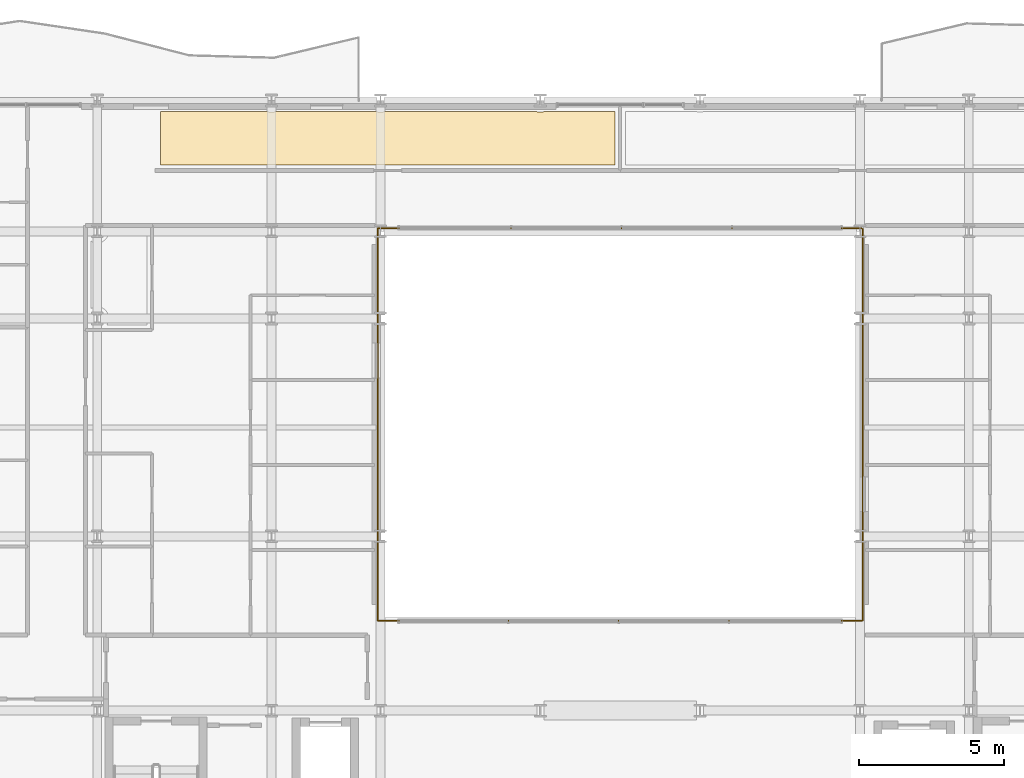
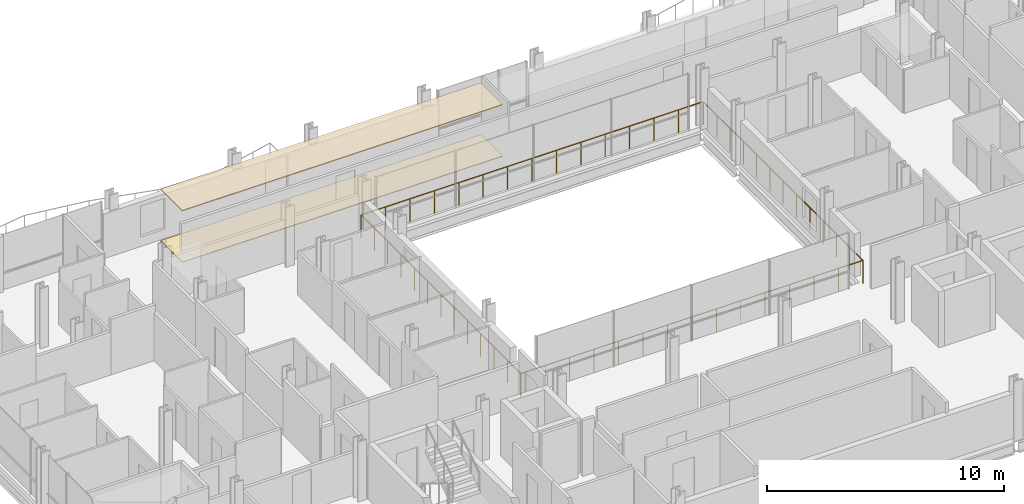
# One storey, part 39 of 41: 2 coverings, 2 railings.
"""IFC4 building model written with IfcOpenShell, lengths in metres."""

from ifc_helpers import new_model, si_unit, direction, frame, origin, origin_2d, place, context, subcontext, project, spatial, polyline, circle, outline, extrude, material, layer, layer_set, type_object, element, save


model = new_model("IFC4")

# Units and contexts
model_context = context("Model", 3, precision=1e-05, world=origin(), true_north=direction((0.0, 1.0)))
body_context = subcontext(model_context, "Body", "Model", "MODEL_VIEW")
ifc_project = project(units=[si_unit("LENGTHUNIT", "METRE"), si_unit("AREAUNIT", "SQUARE_METRE"), si_unit("VOLUMEUNIT", "CUBIC_METRE"), si_unit("PLANEANGLEUNIT", "RADIAN"), si_unit("MASSUNIT", "GRAM", prefix="KILO")], contexts=[model_context])

# Site, building, storey
site_placement = place(None, origin())
site = spatial("IfcSite", under=ifc_project, at=site_placement, CompositionType="ELEMENT")
building_placement = place(site_placement, origin())
building = spatial("IfcBuilding", under=site, at=building_placement, Name="Brevholm Reach", CompositionType="ELEMENT")
storey_placement = place(building_placement, frame((0.0, 0.0, 68.300048828125)))
storey = spatial("IfcBuildingStorey", under=building, at=storey_placement, Name="L19", CompositionType="ELEMENT", Elevation=68.300048828125)

# Coverings
ifc_material_1 = material(Name="Perforated Mineral-Fibre Class-A Acoustic Suspended Ceiling", Category="gypsum")
ifc_layer_1 = layer(ifc_material_1, 0.044921875)
ifc_layer_set_1 = layer_set([ifc_layer_1], Name="Perforated Mineral-Fibre Class-A Acoustic Suspended Ceiling")
covering_type_1 = type_object("IfcCoveringType", Name="COV-CLG-AC", PredefinedType="CEILING", material=ifc_layer_set_1)
covering_1_placement = place(storey_placement, frame((0.0, 0.0, 2.655029296875)))
element("IfcCovering", 1, at=covering_1_placement, inside=storey, type_object=covering_type_1, Name="L19 Suspended Ceiling L19-78", PredefinedType="CEILING", context=body_context, shape_type="SweptSolid", body=[
    extrude(outline(polyline([(14.179931640625, 30.6201171875), (17.876220703125, 30.6201171875), (17.8837890625, 30.6171875), (17.922119140625, 30.607666015625), (17.960693359375, 30.601806640625), (18.0, 30.60009765625), (18.039306640625, 30.601806640625), (18.077880859375, 30.607666015625), (18.1162109375, 30.6171875), (18.123779296875, 30.6201171875), (21.626220703125, 30.6201171875), (21.6337890625, 30.6171875), (21.672119140625, 30.607666015625), (21.710693359375, 30.601806640625), (21.75, 30.60009765625), (21.789306640625, 30.601806640625), (21.827880859375, 30.607666015625), (21.8662109375, 30.6171875), (21.873779296875, 30.6201171875), (27.126220703125, 30.6201171875), (27.1337890625, 30.6171875), (27.172119140625, 30.607666015625), (27.210693359375, 30.601806640625), (27.25, 30.60009765625), (27.289306640625, 30.601806640625), (27.327880859375, 30.607666015625), (27.3662109375, 30.6171875), (27.373779296875, 30.6201171875), (29.820068359375, 30.6201171875), (29.820068359375, 28.783935546875), (14.179931640625, 28.783935546875), (14.179931640625, 30.6201171875)])), origin(), (0.0, 0.0, 1.0), 0.044921875),
])
ifc_material_2 = material(Name="Honed Portland-Aggregate Resin Terrazzo Flooring", Category="concrete")
ifc_layer_2 = layer(ifc_material_2, 0.031982421875)
ifc_layer_set_2 = layer_set([ifc_layer_2], Name="Honed Portland-Aggregate Resin Terrazzo Flooring")
covering_type_2 = type_object("IfcCoveringType", Name="COV-FLR-TRZ", PredefinedType="FLOORING", material=ifc_layer_set_2)
covering_2_placement = place(storey_placement, origin())
element("IfcCovering", 2, at=covering_2_placement, inside=storey, type_object=covering_type_2, Name="L19 Floor Finish L19-78", PredefinedType="FLOORING", context=body_context, shape_type="SweptSolid", body=[
    extrude(outline(polyline([(14.179931640625, 30.6201171875), (17.876220703125, 30.6201171875), (17.8837890625, 30.6171875), (17.922119140625, 30.607666015625), (17.960693359375, 30.601806640625), (18.0, 30.60009765625), (18.039306640625, 30.601806640625), (18.077880859375, 30.607666015625), (18.1162109375, 30.6171875), (18.123779296875, 30.6201171875), (21.626220703125, 30.6201171875), (21.6337890625, 30.6171875), (21.672119140625, 30.607666015625), (21.710693359375, 30.601806640625), (21.75, 30.60009765625), (21.789306640625, 30.601806640625), (21.827880859375, 30.607666015625), (21.8662109375, 30.6171875), (21.873779296875, 30.6201171875), (27.126220703125, 30.6201171875), (27.1337890625, 30.6171875), (27.172119140625, 30.607666015625), (27.210693359375, 30.601806640625), (27.25, 30.60009765625), (27.289306640625, 30.601806640625), (27.327880859375, 30.607666015625), (27.3662109375, 30.6171875), (27.373779296875, 30.6201171875), (29.820068359375, 30.6201171875), (29.820068359375, 28.783935546875), (14.179931640625, 28.783935546875), (14.179931640625, 30.6201171875)])), origin(), (0.0, 0.0, 1.0), 0.031982421875),
])

# Railings
ifc_material_3 = material(Name="Brushed Stainless Steel EN 1.4401 and Laminated Glass", Category="steel")
railing_type = type_object("IfcRailingType", Name="RAL-TERR-1200", PredefinedType="BALUSTRADE", material=ifc_material_3)
railing_1_placement = place(storey_placement, frame((21.64990234375, 13.10009765625, 0.0)))
element("IfcRailing", 3, at=railing_1_placement, inside=storey, type_object=railing_type, Name="L19 Guard Balustrade RAL-L19-AT-VOID-SW", PredefinedType="BALUSTRADE", context=body_context, shape_type="SweptSolid", body=[
    extrude(circle(Radius=0.02392578125, at=origin_2d()), frame((0.0, 0.0, 1.17578125), z_axis=(1.0, 0.0, 0.0), x_axis=(0.0, 1.0, 0.0)), (0.0, 0.0, 1.0), 16.7001953125),
    extrude(circle(Radius=0.02392578125, at=origin_2d()), frame((16.7001953125, 0.0, 1.17578125), z_axis=(0.0, 1.0, 0.0), x_axis=(-1.0, 0.0, 0.0)), (0.0, 0.0, 1.0), 13.47998046875),
    extrude(circle(Radius=0.02099609375, at=origin_2d()), origin(), (0.0, 0.0, 1.0), 1.15185546875),
    extrude(circle(Radius=0.02099609375, at=origin_2d()), frame((1.19287109375, 0.0, 0.0)), (0.0, 0.0, 1.0), 1.15185546875),
    extrude(circle(Radius=0.02099609375, at=origin_2d()), frame((2.3857421875, 0.0, 0.0)), (0.0, 0.0, 1.0), 1.15185546875),
    extrude(circle(Radius=0.02099609375, at=origin_2d()), frame((3.57861328125, 0.0, 0.0)), (0.0, 0.0, 1.0), 1.15185546875),
    extrude(circle(Radius=0.02099609375, at=origin_2d()), frame((4.771484375, 0.0, 0.0)), (0.0, 0.0, 1.0), 1.15185546875),
    extrude(circle(Radius=0.02099609375, at=origin_2d()), frame((5.96435546875, 0.0, 0.0)), (0.0, 0.0, 1.0), 1.15185546875),
    extrude(circle(Radius=0.02099609375, at=origin_2d()), frame((7.1572265625, 0.0, 0.0)), (0.0, 0.0, 1.0), 1.15185546875),
    extrude(circle(Radius=0.02099609375, at=origin_2d()), frame((8.35009765625, 0.0, 0.0)), (0.0, 0.0, 1.0), 1.15185546875),
    extrude(circle(Radius=0.02099609375, at=origin_2d()), frame((9.54296875, 0.0, 0.0)), (0.0, 0.0, 1.0), 1.15185546875),
    extrude(circle(Radius=0.02099609375, at=origin_2d()), frame((10.73583984375, 0.0, 0.0)), (0.0, 0.0, 1.0), 1.15185546875),
    extrude(circle(Radius=0.02099609375, at=origin_2d()), frame((11.9287109375, 0.0, 0.0)), (0.0, 0.0, 1.0), 1.15185546875),
    extrude(circle(Radius=0.02099609375, at=origin_2d()), frame((13.12158203125, 0.0, 0.0)), (0.0, 0.0, 1.0), 1.15185546875),
    extrude(circle(Radius=0.02099609375, at=origin_2d()), frame((14.314453125, 0.0, 0.0)), (0.0, 0.0, 1.0), 1.15185546875),
    extrude(circle(Radius=0.02099609375, at=origin_2d()), frame((15.50732421875, 0.0, 0.0)), (0.0, 0.0, 1.0), 1.15185546875),
    extrude(circle(Radius=0.02099609375, at=origin_2d()), frame((16.7001953125, 0.0, 0.0)), (0.0, 0.0, 1.0), 1.15185546875),
    extrude(circle(Radius=0.02099609375, at=origin_2d()), frame((16.7001953125, 1.123291015625, 0.0)), (0.0, 0.0, 1.0), 1.15185546875),
    extrude(circle(Radius=0.02099609375, at=origin_2d()), frame((16.7001953125, 2.24658203125, 0.0)), (0.0, 0.0, 1.0), 1.15185546875),
    extrude(circle(Radius=0.02099609375, at=origin_2d()), frame((16.7001953125, 3.3701171875, 0.0)), (0.0, 0.0, 1.0), 1.15185546875),
    extrude(circle(Radius=0.02099609375, at=origin_2d()), frame((16.7001953125, 4.493408203125, 0.0)), (0.0, 0.0, 1.0), 1.15185546875),
    extrude(circle(Radius=0.02099609375, at=origin_2d()), frame((16.7001953125, 5.61669921875, 0.0)), (0.0, 0.0, 1.0), 1.15185546875),
    extrude(circle(Radius=0.02099609375, at=origin_2d()), frame((16.7001953125, 6.739990234375, 0.0)), (0.0, 0.0, 1.0), 1.15185546875),
    extrude(circle(Radius=0.02099609375, at=origin_2d()), frame((16.7001953125, 7.86328125, 0.0)), (0.0, 0.0, 1.0), 1.15185546875),
    extrude(circle(Radius=0.02099609375, at=origin_2d()), frame((16.7001953125, 8.986572265625, 0.0)), (0.0, 0.0, 1.0), 1.15185546875),
    extrude(circle(Radius=0.02099609375, at=origin_2d()), frame((16.7001953125, 10.10986328125, 0.0)), (0.0, 0.0, 1.0), 1.15185546875),
    extrude(circle(Radius=0.02099609375, at=origin_2d()), frame((16.7001953125, 11.2333984375, 0.0)), (0.0, 0.0, 1.0), 1.15185546875),
    extrude(circle(Radius=0.02099609375, at=origin_2d()), frame((16.7001953125, 12.356689453125, 0.0)), (0.0, 0.0, 1.0), 1.15185546875),
    extrude(circle(Radius=0.02099609375, at=origin_2d()), frame((16.7001953125, 13.47998046875, 0.0)), (0.0, 0.0, 1.0), 1.15185546875),
])
railing_2_placement = place(storey_placement, frame((38.330078125, 26.60009765625, 0.0)))
element("IfcRailing", 4, at=railing_2_placement, inside=storey, type_object=railing_type, Name="L19 Guard Balustrade RAL-L19-AT-VOID-NE", PredefinedType="BALUSTRADE", context=body_context, shape_type="SweptSolid", body=[
    extrude(circle(Radius=0.02392578125, at=origin_2d()), frame((0.0, 0.0, 1.17578125), z_axis=(-1.0, 0.0, 0.0), x_axis=(0.0, -1.0, 0.0)), (0.0, 0.0, 1.0), 16.68017578125),
    extrude(circle(Radius=0.02392578125, at=origin_2d()), frame((-16.68017578125, 0.0, 1.17578125), z_axis=(0.0, -1.0, 0.0), x_axis=(1.0, 0.0, 0.0)), (0.0, 0.0, 1.0), 13.47998046875),
    extrude(circle(Radius=0.02099609375, at=origin_2d()), origin(), (0.0, 0.0, 1.0), 1.15185546875),
    extrude(circle(Radius=0.02099609375, at=origin_2d()), frame((-1.19140625, 0.0, 0.0)), (0.0, 0.0, 1.0), 1.15185546875),
    extrude(circle(Radius=0.02099609375, at=origin_2d()), frame((-2.3828125, 0.0, 0.0)), (0.0, 0.0, 1.0), 1.15185546875),
    extrude(circle(Radius=0.02099609375, at=origin_2d()), frame((-3.57421875, 0.0, 0.0)), (0.0, 0.0, 1.0), 1.15185546875),
    extrude(circle(Radius=0.02099609375, at=origin_2d()), frame((-4.765869140625, 0.0, 0.0)), (0.0, 0.0, 1.0), 1.15185546875),
    extrude(circle(Radius=0.02099609375, at=origin_2d()), frame((-5.957275390625, 0.0, 0.0)), (0.0, 0.0, 1.0), 1.15185546875),
    extrude(circle(Radius=0.02099609375, at=origin_2d()), frame((-7.148681640625, 0.0, 0.0)), (0.0, 0.0, 1.0), 1.15185546875),
    extrude(circle(Radius=0.02099609375, at=origin_2d()), frame((-8.340087890625, 0.0, 0.0)), (0.0, 0.0, 1.0), 1.15185546875),
    extrude(circle(Radius=0.02099609375, at=origin_2d()), frame((-9.531494140625, 0.0, 0.0)), (0.0, 0.0, 1.0), 1.15185546875),
    extrude(circle(Radius=0.02099609375, at=origin_2d()), frame((-10.722900390625, 0.0, 0.0)), (0.0, 0.0, 1.0), 1.15185546875),
    extrude(circle(Radius=0.02099609375, at=origin_2d()), frame((-11.914306640625, 0.0, 0.0)), (0.0, 0.0, 1.0), 1.15185546875),
    extrude(circle(Radius=0.02099609375, at=origin_2d()), frame((-13.10595703125, 0.0, 0.0)), (0.0, 0.0, 1.0), 1.15185546875),
    extrude(circle(Radius=0.02099609375, at=origin_2d()), frame((-14.29736328125, 0.0, 0.0)), (0.0, 0.0, 1.0), 1.15185546875),
    extrude(circle(Radius=0.02099609375, at=origin_2d()), frame((-15.48876953125, 0.0, 0.0)), (0.0, 0.0, 1.0), 1.15185546875),
    extrude(circle(Radius=0.02099609375, at=origin_2d()), frame((-16.68017578125, 0.0, 0.0)), (0.0, 0.0, 1.0), 1.15185546875),
    extrude(circle(Radius=0.02099609375, at=origin_2d()), frame((-16.68017578125, -1.123291015625, 0.0)), (0.0, 0.0, 1.0), 1.15185546875),
    extrude(circle(Radius=0.02099609375, at=origin_2d()), frame((-16.68017578125, -2.24658203125, 0.0)), (0.0, 0.0, 1.0), 1.15185546875),
    extrude(circle(Radius=0.02099609375, at=origin_2d()), frame((-16.68017578125, -3.3701171875, 0.0)), (0.0, 0.0, 1.0), 1.15185546875),
    extrude(circle(Radius=0.02099609375, at=origin_2d()), frame((-16.68017578125, -4.493408203125, 0.0)), (0.0, 0.0, 1.0), 1.15185546875),
    extrude(circle(Radius=0.02099609375, at=origin_2d()), frame((-16.68017578125, -5.61669921875, 0.0)), (0.0, 0.0, 1.0), 1.15185546875),
    extrude(circle(Radius=0.02099609375, at=origin_2d()), frame((-16.68017578125, -6.739990234375, 0.0)), (0.0, 0.0, 1.0), 1.15185546875),
    extrude(circle(Radius=0.02099609375, at=origin_2d()), frame((-16.68017578125, -7.86328125, 0.0)), (0.0, 0.0, 1.0), 1.15185546875),
    extrude(circle(Radius=0.02099609375, at=origin_2d()), frame((-16.68017578125, -8.986572265625, 0.0)), (0.0, 0.0, 1.0), 1.15185546875),
    extrude(circle(Radius=0.02099609375, at=origin_2d()), frame((-16.68017578125, -10.10986328125, 0.0)), (0.0, 0.0, 1.0), 1.15185546875),
    extrude(circle(Radius=0.02099609375, at=origin_2d()), frame((-16.68017578125, -11.2333984375, 0.0)), (0.0, 0.0, 1.0), 1.15185546875),
    extrude(circle(Radius=0.02099609375, at=origin_2d()), frame((-16.68017578125, -12.356689453125, 0.0)), (0.0, 0.0, 1.0), 1.15185546875),
    extrude(circle(Radius=0.02099609375, at=origin_2d()), frame((-16.68017578125, -13.47998046875, 0.0)), (0.0, 0.0, 1.0), 1.15185546875),
])

save(model, "model.ifc")
